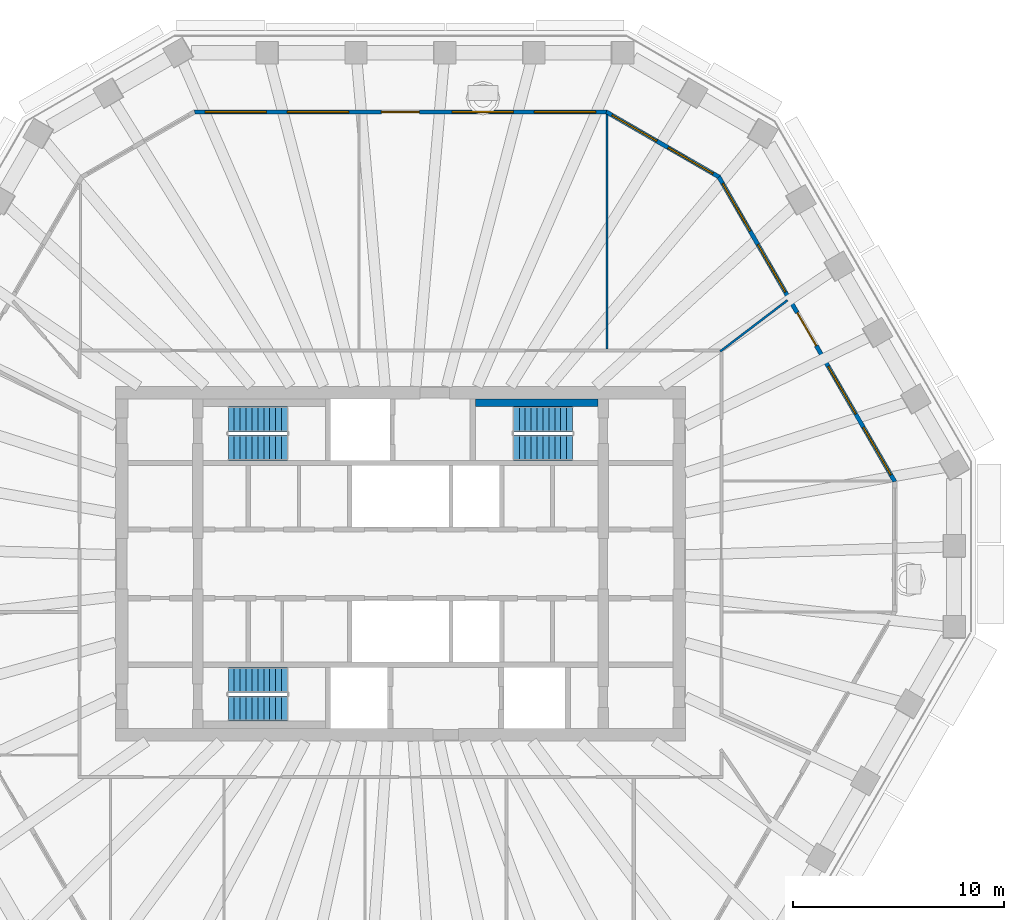
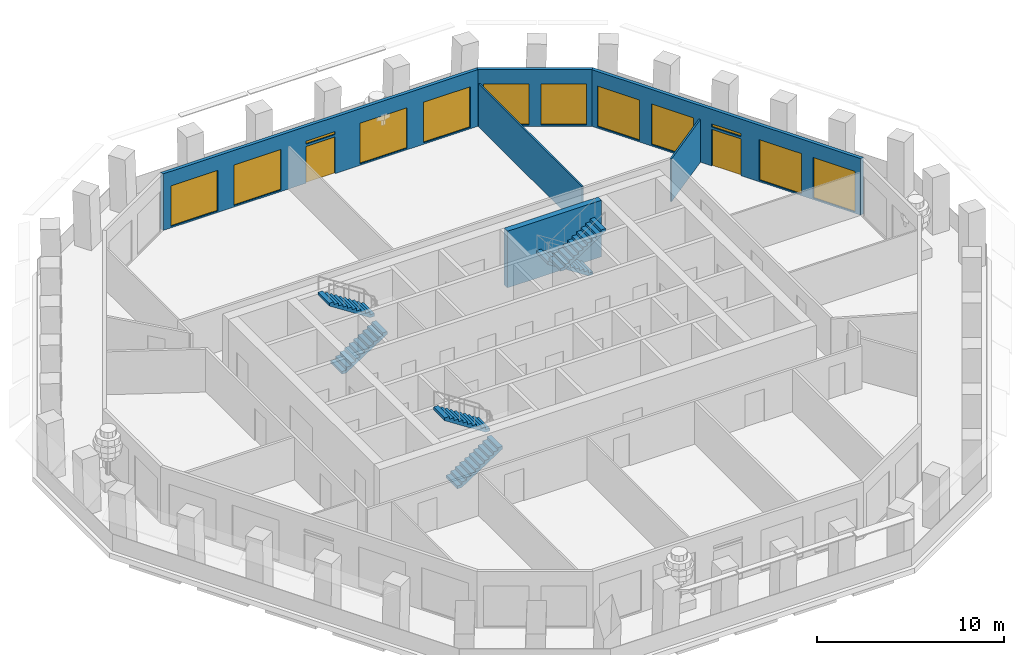
# One storey, part 8 of 12: 12 windows, 6 stair flights, 6 walls, 2 doors, 14 openings, 3 elements without a shape of their own.
"""IFC4 building model written with IfcOpenShell, lengths in metres."""

from ifc_helpers import new_model, si_unit, direction, frame, frame_2d, origin, place, context, subcontext, project, spatial, polyline, rectangle, outline, extrude, material, layer, layer_set, type_object, element, fill, aggregate, save


model = new_model("IFC4")

# Units and contexts
model_context = context("Model", 3, precision=1e-05, world=origin(), true_north=direction((0.0, 1.0)))
body_context = subcontext(model_context, "Body", "Model", "MODEL_VIEW")
ifc_project = project(units=[si_unit("LENGTHUNIT", "METRE"), si_unit("AREAUNIT", "SQUARE_METRE"), si_unit("VOLUMEUNIT", "CUBIC_METRE"), si_unit("PLANEANGLEUNIT", "RADIAN"), si_unit("MASSUNIT", "GRAM", prefix="KILO")], contexts=[model_context])

# Site, building, storey
site_placement = place(None, origin())
site = spatial("IfcSite", under=ifc_project, at=site_placement, CompositionType="ELEMENT")
building_placement = place(site_placement, origin())
building = spatial("IfcBuilding", under=site, at=building_placement, Name="Frailejon Research Tower", CompositionType="ELEMENT")
storey_placement = place(building_placement, frame((0.0, 0.0, 237.39990234375)))
storey = spatial("IfcBuildingStorey", under=building, at=storey_placement, Name="L51", CompositionType="ELEMENT", Elevation=237.39990234375)

# Walls
ifc_material_1 = material(Name="Gypsum board and masonry partition", Category="masonry")
ifc_layer_1 = layer(ifc_material_1, 0.10009765625)
ifc_layer_set_1 = layer_set([ifc_layer_1], Name="Partition, gypsum on steel studs 100")
wall_type_1 = type_object("IfcWallType", Name="Partition, gypsum on steel studs 100", PredefinedType="PARTITIONING", material=ifc_layer_set_1)
wall_1_placement = place(storey_placement, frame((15.140380859375, 10.0546875, 0.0), z_axis=(0.0, 0.0, 1.0), x_axis=(0.795624550045, 0.605790042313, 0.0)))
element("IfcWall", 1, at=wall_1_placement, inside=storey, type_object=wall_type_1, Name="T:IW:L51:016", PredefinedType="PARTITIONING", context=body_context, shape_type="SweptSolid", body=[
    extrude(rectangle(XDim=4.010009765625, YDim=0.10009765625, at=frame_2d((2.0048828125, 0.0))), origin(), (0.0, 0.0, 1.0), 2.800048828125),
])
wall_2_placement = place(storey_placement, frame((9.773193359375, 10.175048828125, 0.0), z_axis=(0.0, 0.0, 1.0), x_axis=(0.0, 1.0, 0.0)))
element("IfcWall", 2, at=wall_2_placement, inside=storey, type_object=wall_type_1, Name="T:IW:L51:017", PredefinedType="PARTITIONING", context=body_context, shape_type="SweptSolid", body=[
    extrude(rectangle(XDim=11.093994140625, YDim=0.10009765625, at=frame_2d((5.546875, 0.0))), origin(), (0.0, 0.0, 1.0), 2.800048828125),
])
ifc_material_2 = material(Name="Concrete C60/75", Category="concrete")
ifc_layer_2 = layer(ifc_material_2, 0.35009765625)
ifc_layer_set_2 = layer_set([ifc_layer_2], Name="Shaft wall 350 C60/75")
wall_type_2 = type_object("IfcWallType", Name="Shaft wall 350 C60/75", PredefinedType="SOLIDWALL", material=ifc_layer_set_2)
wall_3_placement = place(storey_placement, frame((3.550048828125, 7.625, 0.0), z_axis=(0.0, 0.0, 1.0), x_axis=(1.0, 0.0, 0.0)))
element("IfcWall", 3, at=wall_3_placement, inside=storey, type_object=wall_type_2, Name="Shaft wall", PredefinedType="SOLIDWALL", context=body_context, shape_type="SweptSolid", body=[
    extrude(rectangle(XDim=5.800048828125, YDim=0.35009765625, at=frame_2d((2.89990234375, 0.0))), origin(), (0.0, 0.0, 1.0), 3.7001953125),
])

# Wall, openings, door, windows
ifc_material_3 = material(Name="Concrete C40/50 precast window wall panel", Category="concrete")
ifc_layer_3 = layer(ifc_material_3, 0.199951171875)
ifc_layer_set_3 = layer_set([ifc_layer_3], Name="Window wall 200")
wall_type_3 = type_object("IfcWallType", Name="Window wall 200", PredefinedType="SOLIDWALL", material=ifc_layer_set_3)
wall_4_placement = place(storey_placement, frame((23.406005859375, 3.8935546875, 0.0), z_axis=(0.0, 0.0, 1.0), x_axis=(-0.49999683882, 0.866027228885, 0.0)))
wall_4 = element("IfcWall", 4, at=wall_4_placement, inside=storey, type_object=wall_type_3, Name="Exterior wall L51", PredefinedType="SOLIDWALL", context=body_context, shape_type="SweptSolid", body=[
    extrude(outline(polyline([(-0.02685546875, -0.10009765625), (1.017822265625, -0.10009765625), (2.0625, -0.10009765625), (3.107421875, -0.10009765625), (4.152099609375, -0.10009765625), (5.19677734375, -0.10009765625), (6.24169921875, -0.10009765625), (7.286376953125, -0.10009765625), (8.3310546875, -0.10009765625), (9.375732421875, -0.10009765625), (10.42041015625, -0.10009765625), (11.46533203125, -0.10009765625), (12.510009765625, -0.10009765625), (13.5546875, -0.10009765625), (14.599609375, -0.10009765625), (15.644287109375, -0.10009765625), (16.68896484375, -0.10009765625), (16.63525390625, 0.10009765625), (15.59716796875, 0.10009765625), (14.55908203125, 0.10009765625), (13.521240234375, 0.10009765625), (12.483154296875, 0.10009765625), (11.445068359375, 0.10009765625), (10.4072265625, 0.10009765625), (9.369140625, 0.10009765625), (8.3310546875, 0.10009765625), (7.29296875, 0.10009765625), (6.2548828125, 0.10009765625), (5.217041015625, 0.10009765625), (4.178955078125, 0.10009765625), (3.140869140625, 0.10009765625), (2.10302734375, 0.10009765625), (1.06494140625, 0.10009765625), (0.02685546875, 0.10009765625), (-0.02685546875, -0.10009765625)])), origin(), (0.0, 0.0, 1.0), 3.7001953125),
])
opening_1_placement = place(wall_4_placement, frame((0.3662109375, 0.0, 0.10009765625)))
opening_1 = element("IfcOpeningElement", 5, at=opening_1_placement, cuts=wall_4, Name="Opening W18", PredefinedType="OPENING", context=body_context, shape_type="SweptSolid", body=[
    extrude(rectangle(XDim=2.60009765625, YDim=2.64990234375, at=frame_2d((1.300048828125, 1.324951171875))), frame((0.0, 0.10986328125, 0.0), z_axis=(0.0, -1.0, 0.0), x_axis=(1.0, 0.0, 0.0)), (0.0, 0.0, 1.0), 0.219970703125),
])
opening_2_placement = place(wall_4_placement, frame((3.69873046875, 0.0, 0.10009765625)))
opening_2 = element("IfcOpeningElement", 6, at=opening_2_placement, cuts=wall_4, Name="Opening W18", PredefinedType="OPENING", context=body_context, shape_type="SweptSolid", body=[
    extrude(rectangle(XDim=2.60009765625, YDim=2.64990234375, at=frame_2d((1.300048828125, 1.324951171875))), frame((0.0, 0.10986328125, 0.0), z_axis=(0.0, -1.0, 0.0), x_axis=(1.0, 0.0, 0.0)), (0.0, 0.0, 1.0), 0.219970703125),
])
opening_3_placement = place(wall_4_placement, frame((7.43115234375, 0.0, 0.0)))
opening_3 = element("IfcOpeningElement", 7, at=opening_3_placement, cuts=wall_4, Name="Opening LG51-1", PredefinedType="OPENING", context=body_context, shape_type="SweptSolid", body=[
    extrude(rectangle(XDim=1.800048828125, YDim=2.39990234375, at=frame_2d((0.89990234375, 1.199951171875))), frame((0.0, 0.10986328125, 0.0), z_axis=(0.0, -1.0, 0.0), x_axis=(1.0, 0.0, 0.0)), (0.0, 0.0, 1.0), 0.219970703125),
])
opening_4_placement = place(wall_4_placement, frame((7.43115234375, 0.0, 2.550048828125)))
opening_4 = element("IfcOpeningElement", 8, at=opening_4_placement, cuts=wall_4, Name="Opening W19", PredefinedType="OPENING", context=body_context, shape_type="SweptSolid", body=[
    extrude(rectangle(XDim=1.800048828125, YDim=0.199951171875, at=frame_2d((0.89990234375, 0.10009765625))), frame((0.0, 0.10986328125, 0.0), z_axis=(0.0, -1.0, 0.0), x_axis=(1.0, 0.0, 0.0)), (0.0, 0.0, 1.0), 0.219970703125),
])
opening_5_placement = place(wall_4_placement, frame((10.363525390625, 0.0, 0.10009765625)))
opening_5 = element("IfcOpeningElement", 9, at=opening_5_placement, cuts=wall_4, Name="Opening W18", PredefinedType="OPENING", context=body_context, shape_type="SweptSolid", body=[
    extrude(rectangle(XDim=2.60009765625, YDim=2.64990234375, at=frame_2d((1.300048828125, 1.324951171875))), frame((0.0, 0.10986328125, 0.0), z_axis=(0.0, -1.0, 0.0), x_axis=(1.0, 0.0, 0.0)), (0.0, 0.0, 1.0), 0.219970703125),
])
opening_6_placement = place(wall_4_placement, frame((13.696044921875, 0.0, 0.10009765625)))
opening_6 = element("IfcOpeningElement", 10, at=opening_6_placement, cuts=wall_4, Name="Opening W18", PredefinedType="OPENING", context=body_context, shape_type="SweptSolid", body=[
    extrude(rectangle(XDim=2.60009765625, YDim=2.64990234375, at=frame_2d((1.300048828125, 1.324951171875))), frame((0.0, 0.10986328125, 0.0), z_axis=(0.0, -1.0, 0.0), x_axis=(1.0, 0.0, 0.0)), (0.0, 0.0, 1.0), 0.219970703125),
])
ifc_material_4 = material(Name="Aluminium framed glazed door leaf", Category="aluminium")
door_type = type_object("IfcDoorType", Name="Loggia door 1800x2400", OperationType="DOUBLE_DOOR_SINGLE_SWING", PredefinedType="DOOR", material=ifc_material_4)
door_1_placement = place(opening_3_placement, origin())
door_1 = element("IfcDoor", 11, at=door_1_placement, inside=storey, type_object=door_type, Name="Door LG51-1", OperationType="DOUBLE_DOOR_SINGLE_SWING", OverallHeight=2.39990234375, OverallWidth=1.800048828125, PredefinedType="DOOR", context=body_context, shape_type="SweptSolid", body=[
    extrude(rectangle(XDim=1.800048828125, YDim=2.39990234375, at=frame_2d((0.89990234375, 1.199951171875))), frame((0.0, 0.02490234375, 0.0), z_axis=(0.0, -1.0, 0.0), x_axis=(1.0, 0.0, 0.0)), (0.0, 0.0, 1.0), 0.050048828125),
])
fill(opening_3, door_1)
ifc_material_5 = material(Name="Aluminium framed double glazing", Category="aluminium")
window_type_1 = type_object("IfcWindowType", Name="Window 1800x200", PartitioningType="SINGLE_PANEL", PredefinedType="WINDOW", material=ifc_material_5)
window_1_placement = place(opening_4_placement, origin())
window_1 = element("IfcWindow", 12, at=window_1_placement, inside=storey, type_object=window_type_1, Name="Window L51", OverallHeight=0.199951171875, OverallWidth=1.800048828125, PartitioningType="SINGLE_PANEL", PredefinedType="WINDOW", context=body_context, shape_type="SweptSolid", body=[
    extrude(rectangle(XDim=1.800048828125, YDim=0.199951171875, at=frame_2d((0.89990234375, 0.10009765625))), frame((0.0, 0.030029296875, 0.0), z_axis=(0.0, -1.0, 0.0), x_axis=(1.0, 0.0, 0.0)), (0.0, 0.0, 1.0), 0.06005859375),
])
fill(opening_4, window_1)
ifc_material_6 = material(Name="Aluminium framed double glazing", Category="aluminium")
window_type_2 = type_object("IfcWindowType", Name="Window 2600x2650", PartitioningType="SINGLE_PANEL", PredefinedType="WINDOW", material=ifc_material_6)
window_2_placement = place(opening_1_placement, origin())
window_2 = element("IfcWindow", 13, at=window_2_placement, inside=storey, type_object=window_type_2, Name="Window L51", OverallHeight=2.64990234375, OverallWidth=2.60009765625, PartitioningType="SINGLE_PANEL", PredefinedType="WINDOW", context=body_context, shape_type="SweptSolid", body=[
    extrude(rectangle(XDim=2.60009765625, YDim=2.64990234375, at=frame_2d((1.300048828125, 1.324951171875))), frame((0.0, 0.030029296875, 0.0), z_axis=(0.0, -1.0, 0.0), x_axis=(1.0, 0.0, 0.0)), (0.0, 0.0, 1.0), 0.06005859375),
])
fill(opening_1, window_2)
window_3_placement = place(opening_2_placement, origin())
window_3 = element("IfcWindow", 14, at=window_3_placement, inside=storey, type_object=window_type_2, Name="Window L51", OverallHeight=2.64990234375, OverallWidth=2.60009765625, PartitioningType="SINGLE_PANEL", PredefinedType="WINDOW", context=body_context, shape_type="SweptSolid", body=[
    extrude(rectangle(XDim=2.60009765625, YDim=2.64990234375, at=frame_2d((1.300048828125, 1.324951171875))), frame((0.0, 0.030029296875, 0.0), z_axis=(0.0, -1.0, 0.0), x_axis=(1.0, 0.0, 0.0)), (0.0, 0.0, 1.0), 0.06005859375),
])
fill(opening_2, window_3)
window_4_placement = place(opening_5_placement, origin())
window_4 = element("IfcWindow", 15, at=window_4_placement, inside=storey, type_object=window_type_2, Name="Window L51", OverallHeight=2.64990234375, OverallWidth=2.60009765625, PartitioningType="SINGLE_PANEL", PredefinedType="WINDOW", context=body_context, shape_type="SweptSolid", body=[
    extrude(rectangle(XDim=2.60009765625, YDim=2.64990234375, at=frame_2d((1.300048828125, 1.324951171875))), frame((0.0, 0.030029296875, 0.0), z_axis=(0.0, -1.0, 0.0), x_axis=(1.0, 0.0, 0.0)), (0.0, 0.0, 1.0), 0.06005859375),
])
fill(opening_5, window_4)
window_5_placement = place(opening_6_placement, origin())
window_5 = element("IfcWindow", 16, at=window_5_placement, inside=storey, type_object=window_type_2, Name="Window L51", OverallHeight=2.64990234375, OverallWidth=2.60009765625, PartitioningType="SINGLE_PANEL", PredefinedType="WINDOW", context=body_context, shape_type="SweptSolid", body=[
    extrude(rectangle(XDim=2.60009765625, YDim=2.64990234375, at=frame_2d((1.300048828125, 1.324951171875))), frame((0.0, 0.030029296875, 0.0), z_axis=(0.0, -1.0, 0.0), x_axis=(1.0, 0.0, 0.0)), (0.0, 0.0, 1.0), 0.06005859375),
])
fill(opening_6, window_5)

# Wall, openings, windows
wall_5_placement = place(storey_placement, frame((15.074951171875, 18.323486328125, 0.0), z_axis=(0.0, 0.0, 1.0), x_axis=(-0.866029647142, 0.499992650217, 0.0)))
wall_5 = element("IfcWall", 17, at=wall_5_placement, inside=storey, type_object=wall_type_3, Name="Exterior wall L51", PredefinedType="SOLIDWALL", context=body_context, shape_type="SweptSolid", body=[
    extrude(outline(polyline([(-0.02685546875, -0.10009765625), (1.007568359375, -0.10009765625), (2.0419921875, -0.10009765625), (3.076416015625, -0.10009765625), (4.11083984375, -0.10009765625), (5.145263671875, -0.10009765625), (6.1796875, -0.10009765625), (6.1259765625, 0.10009765625), (5.109375, 0.10009765625), (4.093017578125, 0.10009765625), (3.076416015625, 0.10009765625), (2.059814453125, 0.10009765625), (1.04345703125, 0.10009765625), (0.02685546875, 0.10009765625), (-0.02685546875, -0.10009765625)])), origin(), (0.0, 0.0, 1.0), 3.7001953125),
])
opening_7_placement = place(wall_5_placement, frame((0.313232421875, 0.0, 0.10009765625)))
opening_7 = element("IfcOpeningElement", 18, at=opening_7_placement, cuts=wall_5, Name="Opening W17", PredefinedType="OPENING", context=body_context, shape_type="SweptSolid", body=[
    extrude(rectangle(XDim=2.449951171875, YDim=2.64990234375, at=frame_2d((1.22509765625, 1.324951171875))), frame((0.0, 0.10986328125, 0.0), z_axis=(0.0, -1.0, 0.0), x_axis=(1.0, 0.0, 0.0)), (0.0, 0.0, 1.0), 0.219970703125),
])
opening_8_placement = place(wall_5_placement, frame((3.3896484375, 0.0, 0.10009765625)))
opening_8 = element("IfcOpeningElement", 19, at=opening_8_placement, cuts=wall_5, Name="Opening W17", PredefinedType="OPENING", context=body_context, shape_type="SweptSolid", body=[
    extrude(rectangle(XDim=2.449951171875, YDim=2.64990234375, at=frame_2d((1.22509765625, 1.324951171875))), frame((0.0, 0.10986328125, 0.0), z_axis=(0.0, -1.0, 0.0), x_axis=(1.0, 0.0, 0.0)), (0.0, 0.0, 1.0), 0.219970703125),
])
ifc_material_7 = material(Name="Aluminium framed double glazing", Category="aluminium")
window_type_3 = type_object("IfcWindowType", Name="Window 2450x2650", PartitioningType="SINGLE_PANEL", PredefinedType="WINDOW", material=ifc_material_7)
window_6_placement = place(opening_7_placement, origin())
window_6 = element("IfcWindow", 20, at=window_6_placement, inside=storey, type_object=window_type_3, Name="Window L51", OverallHeight=2.64990234375, OverallWidth=2.449951171875, PartitioningType="SINGLE_PANEL", PredefinedType="WINDOW", context=body_context, shape_type="SweptSolid", body=[
    extrude(rectangle(XDim=2.449951171875, YDim=2.64990234375, at=frame_2d((1.22509765625, 1.324951171875))), frame((0.0, 0.030029296875, 0.0), z_axis=(0.0, -1.0, 0.0), x_axis=(1.0, 0.0, 0.0)), (0.0, 0.0, 1.0), 0.06005859375),
])
fill(opening_7, window_6)
window_7_placement = place(opening_8_placement, origin())
window_7 = element("IfcWindow", 21, at=window_7_placement, inside=storey, type_object=window_type_3, Name="Window L51", OverallHeight=2.64990234375, OverallWidth=2.449951171875, PartitioningType="SINGLE_PANEL", PredefinedType="WINDOW", context=body_context, shape_type="SweptSolid", body=[
    extrude(rectangle(XDim=2.449951171875, YDim=2.64990234375, at=frame_2d((1.22509765625, 1.324951171875))), frame((0.0, 0.030029296875, 0.0), z_axis=(0.0, -1.0, 0.0), x_axis=(1.0, 0.0, 0.0)), (0.0, 0.0, 1.0), 0.06005859375),
])
fill(opening_8, window_7)

# Wall, openings, door, windows
wall_6_placement = place(storey_placement, frame((9.746337890625, 21.39990234375, 0.0), z_axis=(0.0, 0.0, 1.0), x_axis=(-1.0, 0.0, 0.0)))
wall_6 = element("IfcWall", 22, at=wall_6_placement, inside=storey, type_object=wall_type_3, Name="Exterior wall L51", PredefinedType="SOLIDWALL", context=body_context, shape_type="SweptSolid", body=[
    extrude(outline(polyline([(-0.02685546875, -0.10009765625), (1.001953125, -0.10009765625), (2.03076171875, -0.10009765625), (3.059326171875, -0.10009765625), (4.088134765625, -0.10009765625), (5.116943359375, -0.10009765625), (6.145751953125, -0.10009765625), (7.174560546875, -0.10009765625), (8.203125, -0.10009765625), (9.23193359375, -0.10009765625), (10.2607421875, -0.10009765625), (11.28955078125, -0.10009765625), (12.318115234375, -0.10009765625), (13.346923828125, -0.10009765625), (14.375732421875, -0.10009765625), (15.404541015625, -0.10009765625), (16.433349609375, -0.10009765625), (17.4619140625, -0.10009765625), (18.49072265625, -0.10009765625), (19.51953125, -0.10009765625), (19.4658203125, 0.10009765625), (18.442626953125, 0.10009765625), (17.419677734375, 0.10009765625), (16.396484375, 0.10009765625), (15.373291015625, 0.10009765625), (14.350341796875, 0.10009765625), (13.3271484375, 0.10009765625), (12.30419921875, 0.10009765625), (11.281005859375, 0.10009765625), (10.2578125, 0.10009765625), (9.23486328125, 0.10009765625), (8.211669921875, 0.10009765625), (7.1884765625, 0.10009765625), (6.16552734375, 0.10009765625), (5.142333984375, 0.10009765625), (4.119384765625, 0.10009765625), (3.09619140625, 0.10009765625), (2.072998046875, 0.10009765625), (1.050048828125, 0.10009765625), (0.02685546875, 0.10009765625), (-0.02685546875, -0.10009765625)])), origin(), (0.0, 0.0, 1.0), 3.7001953125),
])
opening_9_placement = place(wall_6_placement, frame((0.499267578125, 0.0, 0.10009765625)))
opening_9 = element("IfcOpeningElement", 23, at=opening_9_placement, cuts=wall_6, Name="Opening W20", PredefinedType="OPENING", context=body_context, shape_type="SweptSolid", body=[
    extrude(rectangle(XDim=2.89990234375, YDim=2.64990234375, at=frame_2d((1.449951171875, 1.324951171875))), frame((0.0, 0.10986328125, 0.0), z_axis=(0.0, -1.0, 0.0), x_axis=(1.0, 0.0, 0.0)), (0.0, 0.0, 1.0), 0.219970703125),
])
opening_10_placement = place(wall_6_placement, frame((4.397705078125, 0.0, 0.10009765625)))
opening_10 = element("IfcOpeningElement", 24, at=opening_10_placement, cuts=wall_6, Name="Opening W20", PredefinedType="OPENING", context=body_context, shape_type="SweptSolid", body=[
    extrude(rectangle(XDim=2.89990234375, YDim=2.64990234375, at=frame_2d((1.449951171875, 1.324951171875))), frame((0.0, 0.10986328125, 0.0), z_axis=(0.0, -1.0, 0.0), x_axis=(1.0, 0.0, 0.0)), (0.0, 0.0, 1.0), 0.219970703125),
])
opening_11_placement = place(wall_6_placement, frame((8.846435546875, 0.0, 0.0)))
opening_11 = element("IfcOpeningElement", 25, at=opening_11_placement, cuts=wall_6, Name="Opening LG51-2", PredefinedType="OPENING", context=body_context, shape_type="SweptSolid", body=[
    extrude(rectangle(XDim=1.800048828125, YDim=2.39990234375, at=frame_2d((0.89990234375, 1.199951171875))), frame((0.0, 0.10986328125, 0.0), z_axis=(0.0, -1.0, 0.0), x_axis=(1.0, 0.0, 0.0)), (0.0, 0.0, 1.0), 0.219970703125),
])
opening_12_placement = place(wall_6_placement, frame((8.846435546875, 0.0, 2.550048828125)))
opening_12 = element("IfcOpeningElement", 26, at=opening_12_placement, cuts=wall_6, Name="Opening W19", PredefinedType="OPENING", context=body_context, shape_type="SweptSolid", body=[
    extrude(rectangle(XDim=1.800048828125, YDim=0.199951171875, at=frame_2d((0.89990234375, 0.10009765625))), frame((0.0, 0.10986328125, 0.0), z_axis=(0.0, -1.0, 0.0), x_axis=(1.0, 0.0, 0.0)), (0.0, 0.0, 1.0), 0.219970703125),
])
opening_13_placement = place(wall_6_placement, frame((12.19482421875, 0.0, 0.10009765625)))
opening_13 = element("IfcOpeningElement", 27, at=opening_13_placement, cuts=wall_6, Name="Opening W20", PredefinedType="OPENING", context=body_context, shape_type="SweptSolid", body=[
    extrude(rectangle(XDim=2.89990234375, YDim=2.64990234375, at=frame_2d((1.449951171875, 1.324951171875))), frame((0.0, 0.10986328125, 0.0), z_axis=(0.0, -1.0, 0.0), x_axis=(1.0, 0.0, 0.0)), (0.0, 0.0, 1.0), 0.219970703125),
])
opening_14_placement = place(wall_6_placement, frame((16.093505859375, 0.0, 0.10009765625)))
opening_14 = element("IfcOpeningElement", 28, at=opening_14_placement, cuts=wall_6, Name="Opening W20", PredefinedType="OPENING", context=body_context, shape_type="SweptSolid", body=[
    extrude(rectangle(XDim=2.89990234375, YDim=2.64990234375, at=frame_2d((1.449951171875, 1.324951171875))), frame((0.0, 0.10986328125, 0.0), z_axis=(0.0, -1.0, 0.0), x_axis=(1.0, 0.0, 0.0)), (0.0, 0.0, 1.0), 0.219970703125),
])
door_2_placement = place(opening_11_placement, origin())
door_2 = element("IfcDoor", 29, at=door_2_placement, inside=storey, type_object=door_type, Name="Door LG51-2", OperationType="DOUBLE_DOOR_SINGLE_SWING", OverallHeight=2.39990234375, OverallWidth=1.800048828125, PredefinedType="DOOR", context=body_context, shape_type="SweptSolid", body=[
    extrude(rectangle(XDim=1.800048828125, YDim=2.39990234375, at=frame_2d((0.89990234375, 1.199951171875))), frame((0.0, 0.02490234375, 0.0), z_axis=(0.0, -1.0, 0.0), x_axis=(1.0, 0.0, 0.0)), (0.0, 0.0, 1.0), 0.050048828125),
])
fill(opening_11, door_2)
window_8_placement = place(opening_12_placement, origin())
window_8 = element("IfcWindow", 30, at=window_8_placement, inside=storey, type_object=window_type_1, Name="Window L51", OverallHeight=0.199951171875, OverallWidth=1.800048828125, PartitioningType="SINGLE_PANEL", PredefinedType="WINDOW", context=body_context, shape_type="SweptSolid", body=[
    extrude(rectangle(XDim=1.800048828125, YDim=0.199951171875, at=frame_2d((0.89990234375, 0.10009765625))), frame((0.0, 0.030029296875, 0.0), z_axis=(0.0, -1.0, 0.0), x_axis=(1.0, 0.0, 0.0)), (0.0, 0.0, 1.0), 0.06005859375),
])
fill(opening_12, window_8)
ifc_material_8 = material(Name="Aluminium framed double glazing", Category="aluminium")
window_type_4 = type_object("IfcWindowType", Name="Window 2900x2650", PartitioningType="SINGLE_PANEL", PredefinedType="WINDOW", material=ifc_material_8)
window_9_placement = place(opening_9_placement, origin())
window_9 = element("IfcWindow", 31, at=window_9_placement, inside=storey, type_object=window_type_4, Name="Window L51", OverallHeight=2.64990234375, OverallWidth=2.89990234375, PartitioningType="SINGLE_PANEL", PredefinedType="WINDOW", context=body_context, shape_type="SweptSolid", body=[
    extrude(rectangle(XDim=2.89990234375, YDim=2.64990234375, at=frame_2d((1.449951171875, 1.324951171875))), frame((0.0, 0.030029296875, 0.0), z_axis=(0.0, -1.0, 0.0), x_axis=(1.0, 0.0, 0.0)), (0.0, 0.0, 1.0), 0.06005859375),
])
fill(opening_9, window_9)
window_10_placement = place(opening_10_placement, origin())
window_10 = element("IfcWindow", 32, at=window_10_placement, inside=storey, type_object=window_type_4, Name="Window L51", OverallHeight=2.64990234375, OverallWidth=2.89990234375, PartitioningType="SINGLE_PANEL", PredefinedType="WINDOW", context=body_context, shape_type="SweptSolid", body=[
    extrude(rectangle(XDim=2.89990234375, YDim=2.64990234375, at=frame_2d((1.449951171875, 1.324951171875))), frame((0.0, 0.030029296875, 0.0), z_axis=(0.0, -1.0, 0.0), x_axis=(1.0, 0.0, 0.0)), (0.0, 0.0, 1.0), 0.06005859375),
])
fill(opening_10, window_10)
window_11_placement = place(opening_13_placement, origin())
window_11 = element("IfcWindow", 33, at=window_11_placement, inside=storey, type_object=window_type_4, Name="Window L51", OverallHeight=2.64990234375, OverallWidth=2.89990234375, PartitioningType="SINGLE_PANEL", PredefinedType="WINDOW", context=body_context, shape_type="SweptSolid", body=[
    extrude(rectangle(XDim=2.89990234375, YDim=2.64990234375, at=frame_2d((1.449951171875, 1.324951171875))), frame((0.0, 0.030029296875, 0.0), z_axis=(0.0, -1.0, 0.0), x_axis=(1.0, 0.0, 0.0)), (0.0, 0.0, 1.0), 0.06005859375),
])
fill(opening_13, window_11)
window_12_placement = place(opening_14_placement, origin())
window_12 = element("IfcWindow", 34, at=window_12_placement, inside=storey, type_object=window_type_4, Name="Window L51", OverallHeight=2.64990234375, OverallWidth=2.89990234375, PartitioningType="SINGLE_PANEL", PredefinedType="WINDOW", context=body_context, shape_type="SweptSolid", body=[
    extrude(rectangle(XDim=2.89990234375, YDim=2.64990234375, at=frame_2d((1.449951171875, 1.324951171875))), frame((0.0, 0.030029296875, 0.0), z_axis=(0.0, -1.0, 0.0), x_axis=(1.0, 0.0, 0.0)), (0.0, 0.0, 1.0), 0.06005859375),
])
fill(opening_14, window_12)

# Stair, stair flights
ifc_material_9 = material(Name="Concrete C50/60", Category="concrete")
stair_type = type_object("IfcStairType", Name="Exit stair 22 risers", PredefinedType="HALF_TURN_STAIR", material=ifc_material_9)
stair_1_placement = place(storey_placement, origin())
stair_1 = element("IfcStair", 35, at=stair_1_placement, inside=storey, type_object=stair_type, Name="L51 Exit stair ST1", PredefinedType="HALF_TURN_STAIR")
ifc_material_10 = material(Name="Concrete C50/60", Category="concrete")
ifc_layer_4 = layer(ifc_material_10, 0.14990234375)
ifc_layer_set_4 = layer_set([ifc_layer_4], Name="Stair flight 11 risers")
stair_flight_type = type_object("IfcStairFlightType", Name="Stair flight 11 risers", PredefinedType="STRAIGHT", material=ifc_layer_set_4)
stair_flight_1_placement = place(storey_placement, frame((-8.14990234375, 5.5, 0.0), z_axis=(0.0, 0.0, 1.0), x_axis=(1.0, 0.0, 0.0)))
stair_flight_1 = element("IfcStairFlight", 36, at=stair_flight_1_placement, type_object=stair_flight_type, Name="ST1 flight 1", NumberOfRisers=11, NumberOfTreads=10, PredefinedType="STRAIGHT", RiserHeight=0.181818182, TreadLength=0.28, context=body_context, shape_type="SweptSolid", body=[
    extrude(outline(polyline([(0.0, 0.0), (0.0, 0.181884765625), (0.280029296875, 0.181884765625), (0.280029296875, 0.363525390625), (0.56005859375, 0.363525390625), (0.56005859375, 0.54541015625), (0.840087890625, 0.54541015625), (0.840087890625, 0.727294921875), (1.1201171875, 0.727294921875), (1.1201171875, 0.9091796875), (1.39990234375, 0.9091796875), (1.39990234375, 1.0908203125), (1.679931640625, 1.0908203125), (1.679931640625, 1.272705078125), (1.9599609375, 1.272705078125), (1.9599609375, 1.45458984375), (2.239990234375, 1.45458984375), (2.239990234375, 1.636474609375), (2.52001953125, 1.636474609375), (2.52001953125, 1.818115234375), (2.800048828125, 1.818115234375), (2.800048828125, 2.0), (2.800048828125, 1.639404296875), (0.275146484375, 0.0), (0.0, 0.0)])), frame((0.0, 0.60009765625, 0.0), z_axis=(0.0, -1.0, 0.0), x_axis=(1.0, 0.0, 0.0)), (0.0, 0.0, 1.0), 1.199951171875),
])
stair_flight_2_placement = place(storey_placement, frame((-5.35009765625, 6.85009765625, 2.0), z_axis=(0.0, 0.0, 1.0), x_axis=(-1.0, 0.0, 0.0)))
stair_flight_2 = element("IfcStairFlight", 37, at=stair_flight_2_placement, type_object=stair_flight_type, Name="ST1 flight 2", NumberOfRisers=11, NumberOfTreads=10, PredefinedType="STRAIGHT", RiserHeight=0.181818182, TreadLength=0.28, context=body_context, shape_type="SweptSolid", body=[
    extrude(outline(polyline([(0.0, 0.0), (0.0, 0.181884765625), (0.280029296875, 0.181884765625), (0.280029296875, 0.363525390625), (0.56005859375, 0.363525390625), (0.56005859375, 0.54541015625), (0.840087890625, 0.54541015625), (0.840087890625, 0.727294921875), (1.1201171875, 0.727294921875), (1.1201171875, 0.9091796875), (1.39990234375, 0.9091796875), (1.39990234375, 1.0908203125), (1.679931640625, 1.0908203125), (1.679931640625, 1.272705078125), (1.9599609375, 1.272705078125), (1.9599609375, 1.45458984375), (2.239990234375, 1.45458984375), (2.239990234375, 1.636474609375), (2.52001953125, 1.636474609375), (2.52001953125, 1.818115234375), (2.800048828125, 1.818115234375), (2.800048828125, 2.0), (2.800048828125, 1.639404296875), (0.275146484375, 0.0), (0.0, 0.0)])), frame((0.0, 0.60009765625, 0.0), z_axis=(0.0, -1.0, 0.0), x_axis=(1.0, 0.0, 0.0)), (0.0, 0.0, 1.0), 1.199951171875),
])
aggregate(stair_1, [stair_flight_1, stair_flight_2])

stair_2_placement = place(storey_placement, origin())
stair_2 = element("IfcStair", 38, at=stair_2_placement, inside=storey, type_object=stair_type, Name="L51 Exit stair ST2", PredefinedType="HALF_TURN_STAIR")
stair_flight_3_placement = place(storey_placement, frame((-8.14990234375, -6.85009765625, 0.0), z_axis=(0.0, 0.0, 1.0), x_axis=(1.0, 0.0, 0.0)))
stair_flight_3 = element("IfcStairFlight", 39, at=stair_flight_3_placement, type_object=stair_flight_type, Name="ST2 flight 1", NumberOfRisers=11, NumberOfTreads=10, PredefinedType="STRAIGHT", RiserHeight=0.181818182, TreadLength=0.28, context=body_context, shape_type="SweptSolid", body=[
    extrude(outline(polyline([(0.0, 0.0), (0.0, 0.181884765625), (0.280029296875, 0.181884765625), (0.280029296875, 0.363525390625), (0.56005859375, 0.363525390625), (0.56005859375, 0.54541015625), (0.840087890625, 0.54541015625), (0.840087890625, 0.727294921875), (1.1201171875, 0.727294921875), (1.1201171875, 0.9091796875), (1.39990234375, 0.9091796875), (1.39990234375, 1.0908203125), (1.679931640625, 1.0908203125), (1.679931640625, 1.272705078125), (1.9599609375, 1.272705078125), (1.9599609375, 1.45458984375), (2.239990234375, 1.45458984375), (2.239990234375, 1.636474609375), (2.52001953125, 1.636474609375), (2.52001953125, 1.818115234375), (2.800048828125, 1.818115234375), (2.800048828125, 2.0), (2.800048828125, 1.639404296875), (0.275146484375, 0.0), (0.0, 0.0)])), frame((0.0, 0.60009765625, 0.0), z_axis=(0.0, -1.0, 0.0), x_axis=(1.0, 0.0, 0.0)), (0.0, 0.0, 1.0), 1.199951171875),
])
stair_flight_4_placement = place(storey_placement, frame((-5.35009765625, -5.5, 2.0), z_axis=(0.0, 0.0, 1.0), x_axis=(-1.0, 0.0, 0.0)))
stair_flight_4 = element("IfcStairFlight", 40, at=stair_flight_4_placement, type_object=stair_flight_type, Name="ST2 flight 2", NumberOfRisers=11, NumberOfTreads=10, PredefinedType="STRAIGHT", RiserHeight=0.181818182, TreadLength=0.28, context=body_context, shape_type="SweptSolid", body=[
    extrude(outline(polyline([(0.0, 0.0), (0.0, 0.181884765625), (0.280029296875, 0.181884765625), (0.280029296875, 0.363525390625), (0.56005859375, 0.363525390625), (0.56005859375, 0.54541015625), (0.840087890625, 0.54541015625), (0.840087890625, 0.727294921875), (1.1201171875, 0.727294921875), (1.1201171875, 0.9091796875), (1.39990234375, 0.9091796875), (1.39990234375, 1.0908203125), (1.679931640625, 1.0908203125), (1.679931640625, 1.272705078125), (1.9599609375, 1.272705078125), (1.9599609375, 1.45458984375), (2.239990234375, 1.45458984375), (2.239990234375, 1.636474609375), (2.52001953125, 1.636474609375), (2.52001953125, 1.818115234375), (2.800048828125, 1.818115234375), (2.800048828125, 2.0), (2.800048828125, 1.639404296875), (0.275146484375, 0.0), (0.0, 0.0)])), frame((0.0, 0.60009765625, 0.0), z_axis=(0.0, -1.0, 0.0), x_axis=(1.0, 0.0, 0.0)), (0.0, 0.0, 1.0), 1.199951171875),
])
aggregate(stair_2, [stair_flight_3, stair_flight_4])

stair_3_placement = place(storey_placement, origin())
stair_3 = element("IfcStair", 41, at=stair_3_placement, inside=storey, type_object=stair_type, Name="L51 Exit stair ST3", PredefinedType="HALF_TURN_STAIR")
stair_flight_5_placement = place(storey_placement, frame((8.14990234375, 6.85009765625, 0.0), z_axis=(0.0, 0.0, 1.0), x_axis=(-1.0, 0.0, 0.0)))
stair_flight_5 = element("IfcStairFlight", 42, at=stair_flight_5_placement, type_object=stair_flight_type, Name="ST3 flight 1", NumberOfRisers=11, NumberOfTreads=10, PredefinedType="STRAIGHT", RiserHeight=0.181818182, TreadLength=0.28, context=body_context, shape_type="SweptSolid", body=[
    extrude(outline(polyline([(0.0, 0.0), (0.0, 0.181884765625), (0.280029296875, 0.181884765625), (0.280029296875, 0.363525390625), (0.56005859375, 0.363525390625), (0.56005859375, 0.54541015625), (0.840087890625, 0.54541015625), (0.840087890625, 0.727294921875), (1.1201171875, 0.727294921875), (1.1201171875, 0.9091796875), (1.39990234375, 0.9091796875), (1.39990234375, 1.0908203125), (1.679931640625, 1.0908203125), (1.679931640625, 1.272705078125), (1.9599609375, 1.272705078125), (1.9599609375, 1.45458984375), (2.239990234375, 1.45458984375), (2.239990234375, 1.636474609375), (2.52001953125, 1.636474609375), (2.52001953125, 1.818115234375), (2.800048828125, 1.818115234375), (2.800048828125, 2.0), (2.800048828125, 1.639404296875), (0.275146484375, 0.0), (0.0, 0.0)])), frame((0.0, 0.60009765625, 0.0), z_axis=(0.0, -1.0, 0.0), x_axis=(1.0, 0.0, 0.0)), (0.0, 0.0, 1.0), 1.199951171875),
])
stair_flight_6_placement = place(storey_placement, frame((5.35009765625, 5.5, 2.0), z_axis=(0.0, 0.0, 1.0), x_axis=(1.0, 0.0, 0.0)))
stair_flight_6 = element("IfcStairFlight", 43, at=stair_flight_6_placement, type_object=stair_flight_type, Name="ST3 flight 2", NumberOfRisers=11, NumberOfTreads=10, PredefinedType="STRAIGHT", RiserHeight=0.181818182, TreadLength=0.28, context=body_context, shape_type="SweptSolid", body=[
    extrude(outline(polyline([(0.0, 0.0), (0.0, 0.181884765625), (0.280029296875, 0.181884765625), (0.280029296875, 0.363525390625), (0.56005859375, 0.363525390625), (0.56005859375, 0.54541015625), (0.840087890625, 0.54541015625), (0.840087890625, 0.727294921875), (1.1201171875, 0.727294921875), (1.1201171875, 0.9091796875), (1.39990234375, 0.9091796875), (1.39990234375, 1.0908203125), (1.679931640625, 1.0908203125), (1.679931640625, 1.272705078125), (1.9599609375, 1.272705078125), (1.9599609375, 1.45458984375), (2.239990234375, 1.45458984375), (2.239990234375, 1.636474609375), (2.52001953125, 1.636474609375), (2.52001953125, 1.818115234375), (2.800048828125, 1.818115234375), (2.800048828125, 2.0), (2.800048828125, 1.639404296875), (0.275146484375, 0.0), (0.0, 0.0)])), frame((0.0, 0.60009765625, 0.0), z_axis=(0.0, -1.0, 0.0), x_axis=(1.0, 0.0, 0.0)), (0.0, 0.0, 1.0), 1.199951171875),
])
aggregate(stair_3, [stair_flight_5, stair_flight_6])

save(model, "model.ifc")
